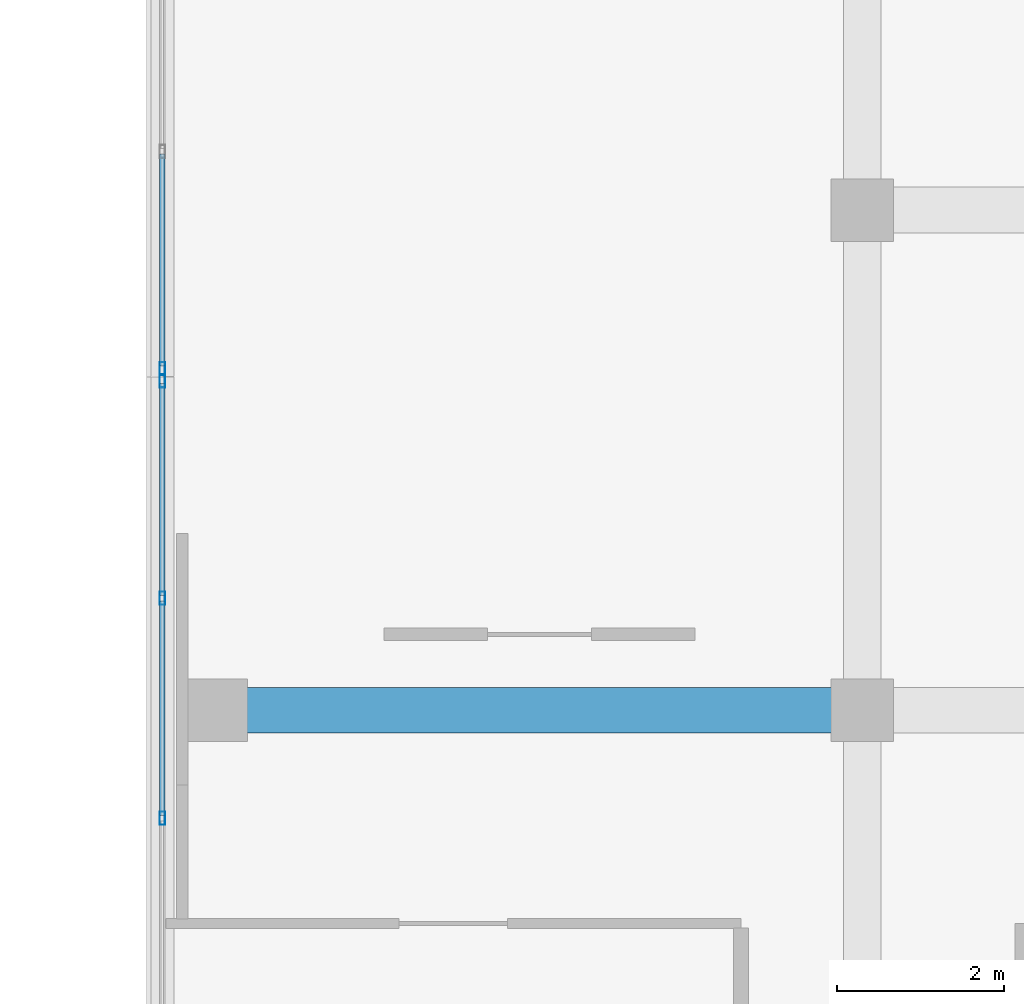
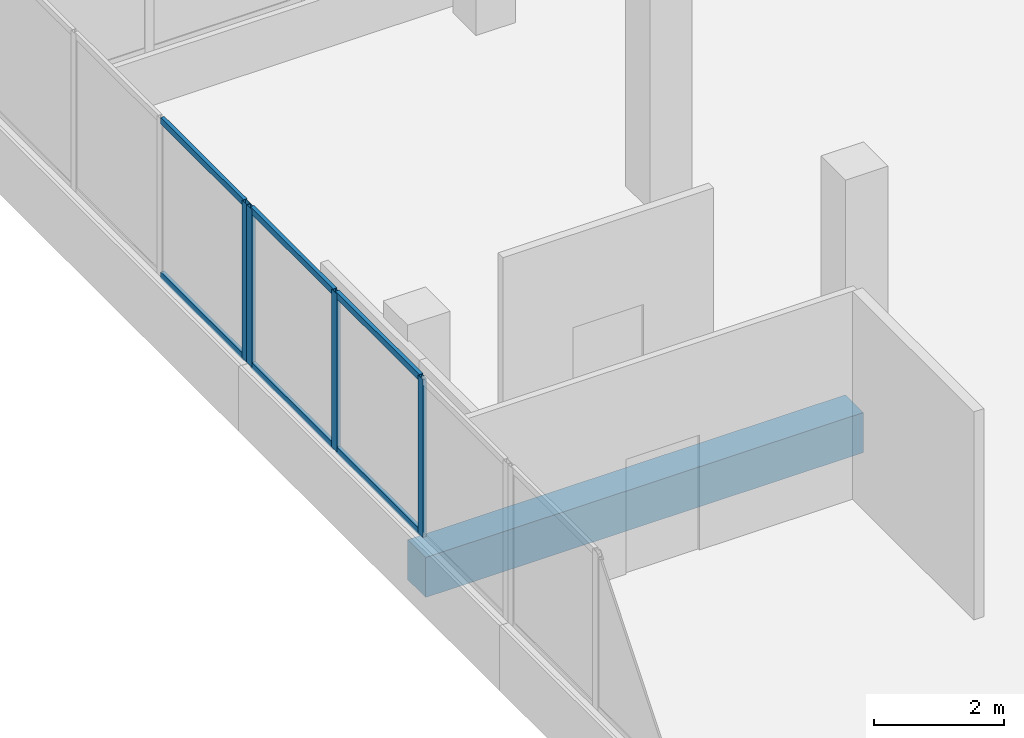
# One storey, part 90 of 184: 10 members, 1 beam, 2 elements without a shape of their own.
"""IFC4 building model written with IfcOpenShell, lengths in metres."""

from ifc_helpers import new_model, si_unit, direction, frame, origin, origin_2d, place, context, subcontext, project, spatial, rectangle, hollow_rectangle, extrude, material, material_profile, profile_set, type_object, element, aggregate, save


model = new_model("IFC4")

# Units and contexts
model_context = context("Model", 3, precision=1e-05, world=origin(), true_north=direction((0.0, 1.0)))
body_context = subcontext(model_context, "Body", "Model", "MODEL_VIEW")
ifc_project = project(units=[si_unit("LENGTHUNIT", "METRE"), si_unit("AREAUNIT", "SQUARE_METRE"), si_unit("VOLUMEUNIT", "CUBIC_METRE"), si_unit("PLANEANGLEUNIT", "RADIAN"), si_unit("MASSUNIT", "GRAM", prefix="KILO")], contexts=[model_context])

# Site, building, storey
site_placement = place(None, origin())
site = spatial("IfcSite", under=ifc_project, at=site_placement, CompositionType="ELEMENT")
building_placement = place(site_placement, origin())
building = spatial("IfcBuilding", under=site, at=building_placement, Name="Selatvlak General Hospital", CompositionType="ELEMENT")
storey_placement = place(building_placement, frame((0.0, 0.0, 15.0)))
storey = spatial("IfcBuildingStorey", under=building, at=storey_placement, Name="L03", CompositionType="ELEMENT", Elevation=15.0)

# Beam
ifc_material_1 = material(Name="Concrete C40/50", Category="concrete")
ifc_material_profile_1 = material_profile(ifc_material_1, rectangle(XDim=0.550048828125, YDim=0.75, at=origin_2d()), Name="RC-BM 550x750")
ifc_profile_set_1 = profile_set([ifc_material_profile_1], Name="Concrete C40/50")
beam_type = type_object("IfcBeamType", Name="BM-G02", PredefinedType="BEAM", material=ifc_profile_set_1)
beam_placement = place(storey_placement, frame((15.050048828125, 108.0, -0.715087890625), z_axis=(1.0, 0.0, 0.0), x_axis=(0.0, 1.0, 0.0)))
element("IfcBeam", 1, at=beam_placement, inside=storey, type_object=beam_type, Name="Beam BMR-L03-1248", PredefinedType="BEAM", context=body_context, shape_type="SweptSolid", body=[
    extrude(rectangle(XDim=0.550048828125, YDim=0.75, at=origin_2d()), origin(), (0.0, 0.0, 1.0), 7.75),
])

# Curtain wall, members
ifc_material_2 = material(Name="Solar-control Low-E double glazing", Category="glass")
curtain_wall_type_1 = type_object("IfcCurtainWallType", Name="CW-CW-01", PredefinedType="USERDEFINED", material=ifc_material_2)
curtain_wall_1_placement = place(storey_placement, origin())
curtain_wall_1 = element("IfcCurtainWall", 2, at=curtain_wall_1_placement, inside=storey, type_object=curtain_wall_type_1, Name="Glazed facade curtain wall CW-L03-0362", ObjectType="UNITISED CURTAIN WALL", PredefinedType="USERDEFINED")
ifc_material_3 = material(Name="Dark anodised aluminium mullion", Category="aluminium")
ifc_material_profile_2 = material_profile(ifc_material_3, hollow_rectangle(XDim=0.06494140625, YDim=0.159912109375, WallThickness=0.00390625, at=origin_2d()), Name="AL-MUL 65x160x4")
ifc_profile_set_2 = profile_set([ifc_material_profile_2], Name="Dark anodised aluminium mullion")
member_type_1 = type_object("IfcMemberType", Name="CWM-01", PredefinedType="MULLION", material=ifc_profile_set_2)
member_1_placement = place(storey_placement, frame((14.39990234375, 106.7041015625, 0.93994140625), z_axis=(0.0, 0.0, 1.0), x_axis=(-1.0, 0.0, 0.0)))
member_1 = element("IfcMember", 3, at=member_1_placement, type_object=member_type_1, Name="CW-01 mullion 2", PredefinedType="MULLION", context=body_context, shape_type="SweptSolid", body=[
    extrude(hollow_rectangle(XDim=0.06494140625, YDim=0.159912109375, WallThickness=0.00390625, at=origin_2d()), origin(), (0.0, 0.0, 1.0), 2.955078125),
])
member_2_placement = place(storey_placement, frame((14.39990234375, 109.343994140625, 0.93994140625), z_axis=(0.0, 0.0, 1.0), x_axis=(-1.0, 0.0, 0.0)))
member_2 = element("IfcMember", 4, at=member_2_placement, type_object=member_type_1, Name="CW-01 mullion 3", PredefinedType="MULLION", context=body_context, shape_type="SweptSolid", body=[
    extrude(hollow_rectangle(XDim=0.06494140625, YDim=0.159912109375, WallThickness=0.00390625, at=origin_2d()), origin(), (0.0, 0.0, 1.0), 2.955078125),
])
member_3_placement = place(storey_placement, frame((14.39990234375, 111.951416015625, 0.93994140625), z_axis=(0.0, 0.0, 1.0), x_axis=(-1.0, 0.0, 0.0)))
member_3 = element("IfcMember", 5, at=member_3_placement, type_object=member_type_1, Name="CW-01 mullion 4", PredefinedType="MULLION", context=body_context, shape_type="SweptSolid", body=[
    extrude(hollow_rectangle(XDim=0.06494140625, YDim=0.159912109375, WallThickness=0.00390625, at=origin_2d()), origin(), (0.0, 0.0, 1.0), 2.955078125),
])

# Curtain wall, member
curtain_wall_type_2 = type_object("IfcCurtainWallType", Name="CW-CW-02", PredefinedType="USERDEFINED", material=ifc_material_2)
curtain_wall_2_placement = place(storey_placement, origin())
curtain_wall_2 = element("IfcCurtainWall", 6, at=curtain_wall_2_placement, inside=storey, type_object=curtain_wall_type_2, Name="Glazed facade curtain wall CW-L03-0363", ObjectType="UNITISED CURTAIN WALL", PredefinedType="USERDEFINED")
member_4_placement = place(storey_placement, frame((14.39990234375, 112.096435546875, 0.93994140625), z_axis=(0.0, 0.0, 1.0), x_axis=(-1.0, 0.0, 0.0)))
member_4 = element("IfcMember", 7, at=member_4_placement, type_object=member_type_1, Name="CW-02 mullion 1", PredefinedType="MULLION", context=body_context, shape_type="SweptSolid", body=[
    extrude(hollow_rectangle(XDim=0.06494140625, YDim=0.159912109375, WallThickness=0.00390625, at=origin_2d()), origin(), (0.0, 0.0, 1.0), 2.955078125),
])

# Member
ifc_material_profile_3 = material_profile(ifc_material_3, hollow_rectangle(XDim=0.06494140625, YDim=0.1201171875, WallThickness=0.00390625, at=origin_2d()), Name="AL-TRN 65x120x4")
ifc_profile_set_3 = profile_set([ifc_material_profile_3], Name="Dark anodised aluminium mullion")
member_type_2 = type_object("IfcMemberType", Name="CWT-01", PredefinedType="USERDEFINED", material=ifc_profile_set_3)
member_5_placement = place(storey_placement, frame((14.39990234375, 106.736572265625, 0.972412109375), z_axis=(0.0, 1.0, 0.0), x_axis=(-1.0, 0.0, 0.0)))
member_5 = element("IfcMember", 8, at=member_5_placement, type_object=member_type_2, Name="CW-01 transom 2.1", ObjectType="TRANSOM", PredefinedType="USERDEFINED", context=body_context, shape_type="SweptSolid", body=[
    extrude(hollow_rectangle(XDim=0.06494140625, YDim=0.1201171875, WallThickness=0.00390625, at=origin_2d()), origin(), (0.0, 0.0, 1.0), 2.574951171875),
])

member_6_placement = place(storey_placement, frame((14.39990234375, 106.736572265625, 3.862548828125), z_axis=(0.0, 1.0, 0.0), x_axis=(-1.0, 0.0, 0.0)))
member_6 = element("IfcMember", 9, at=member_6_placement, type_object=member_type_2, Name="CW-01 transom 2.2", ObjectType="TRANSOM", PredefinedType="USERDEFINED", context=body_context, shape_type="SweptSolid", body=[
    extrude(hollow_rectangle(XDim=0.06494140625, YDim=0.1201171875, WallThickness=0.00390625, at=origin_2d()), origin(), (0.0, 0.0, 1.0), 2.574951171875),
])

member_7_placement = place(storey_placement, frame((14.39990234375, 109.37646484375, 0.972412109375), z_axis=(0.0, 1.0, 0.0), x_axis=(-1.0, 0.0, 0.0)))
member_7 = element("IfcMember", 10, at=member_7_placement, type_object=member_type_2, Name="CW-01 transom 3.1", ObjectType="TRANSOM", PredefinedType="USERDEFINED", context=body_context, shape_type="SweptSolid", body=[
    extrude(hollow_rectangle(XDim=0.06494140625, YDim=0.1201171875, WallThickness=0.00390625, at=origin_2d()), origin(), (0.0, 0.0, 1.0), 2.54248046875),
])

member_8_placement = place(storey_placement, frame((14.39990234375, 109.37646484375, 3.862548828125), z_axis=(0.0, 1.0, 0.0), x_axis=(-1.0, 0.0, 0.0)))
member_8 = element("IfcMember", 11, at=member_8_placement, type_object=member_type_2, Name="CW-01 transom 3.2", ObjectType="TRANSOM", PredefinedType="USERDEFINED", context=body_context, shape_type="SweptSolid", body=[
    extrude(hollow_rectangle(XDim=0.06494140625, YDim=0.1201171875, WallThickness=0.00390625, at=origin_2d()), origin(), (0.0, 0.0, 1.0), 2.54248046875),
])

aggregate(curtain_wall_1, [member_1, member_2, member_3, member_5, member_6, member_7, member_8])

member_9_placement = place(storey_placement, frame((14.39990234375, 112.12890625, 0.972412109375), z_axis=(0.0, 1.0, 0.0), x_axis=(-1.0, 0.0, 0.0)))
member_9 = element("IfcMember", 12, at=member_9_placement, type_object=member_type_2, Name="CW-02 transom 1.1", ObjectType="TRANSOM", PredefinedType="USERDEFINED", context=body_context, shape_type="SweptSolid", body=[
    extrude(hollow_rectangle(XDim=0.06494140625, YDim=0.1201171875, WallThickness=0.00390625, at=origin_2d()), origin(), (0.0, 0.0, 1.0), 2.54248046875),
])

member_10_placement = place(storey_placement, frame((14.39990234375, 112.12890625, 3.862548828125), z_axis=(0.0, 1.0, 0.0), x_axis=(-1.0, 0.0, 0.0)))
member_10 = element("IfcMember", 13, at=member_10_placement, type_object=member_type_2, Name="CW-02 transom 1.2", ObjectType="TRANSOM", PredefinedType="USERDEFINED", context=body_context, shape_type="SweptSolid", body=[
    extrude(hollow_rectangle(XDim=0.06494140625, YDim=0.1201171875, WallThickness=0.00390625, at=origin_2d()), origin(), (0.0, 0.0, 1.0), 2.54248046875),
])

aggregate(curtain_wall_2, [member_4, member_9, member_10])

save(model, "model.ifc")
